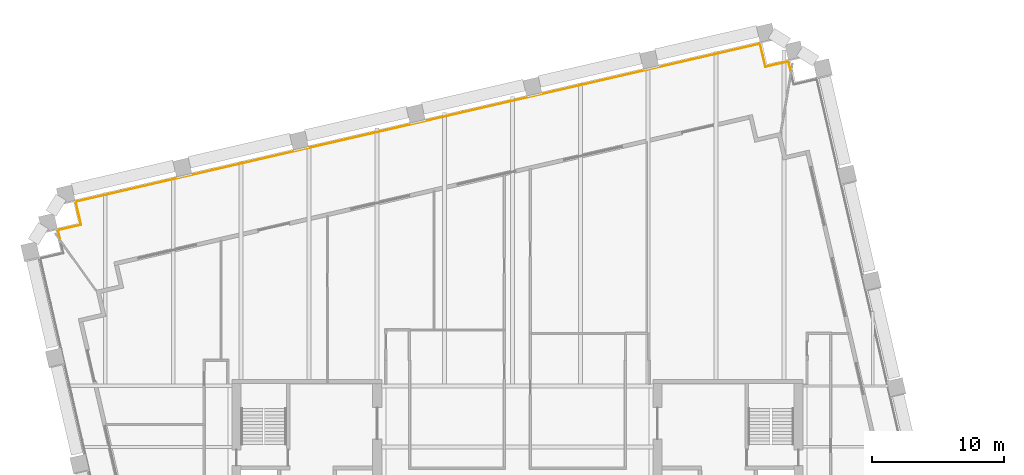
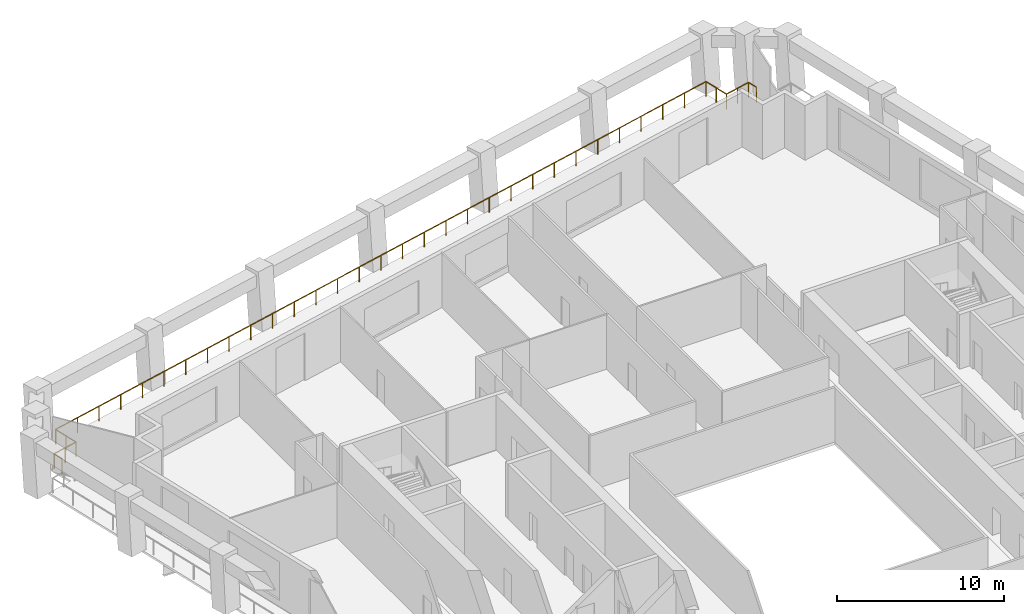
# One storey, part 10 of 10: 1 railing.
"""IFC4 building model written with IfcOpenShell, lengths in metres."""

from ifc_helpers import new_model, si_unit, direction, frame, origin, origin_2d, place, context, subcontext, project, spatial, circle, extrude, material, type_object, element, save


model = new_model("IFC4")

# Units and contexts
model_context = context("Model", 3, precision=1e-05, world=origin(), true_north=direction((0.0, 1.0)))
body_context = subcontext(model_context, "Body", "Model", "MODEL_VIEW")
ifc_project = project(units=[si_unit("LENGTHUNIT", "METRE"), si_unit("AREAUNIT", "SQUARE_METRE"), si_unit("VOLUMEUNIT", "CUBIC_METRE"), si_unit("PLANEANGLEUNIT", "RADIAN"), si_unit("MASSUNIT", "GRAM", prefix="KILO")], contexts=[model_context])

# Site, building, storey
site_placement = place(None, origin())
site = spatial("IfcSite", under=ifc_project, at=site_placement, CompositionType="ELEMENT")
building_placement = place(site_placement, origin())
building = spatial("IfcBuilding", under=site, at=building_placement, Name="Ogive Exchange Tower", CompositionType="ELEMENT")
storey_placement = place(building_placement, frame((0.0, 0.0, 205.199951171875)))
storey = spatial("IfcBuildingStorey", under=building, at=storey_placement, Name="L45", CompositionType="ELEMENT", Elevation=205.199951171875)

# Railing
ifc_material = material(Name="Stainless steel 316", Category="steel")
railing_type = type_object("IfcRailingType", Name="Guard 1100 stainless steel and glass", PredefinedType="GUARDRAIL", material=ifc_material)
railing_placement = place(storey_placement, frame((-34.749755859375, 36.412109375, -0.050048828125)))
element("IfcRailing", 1, at=railing_placement, inside=storey, type_object=railing_type, Name="Loggia guard 3", PredefinedType="GUARDRAIL", context=body_context, shape_type="SweptSolid", body=[
    extrude(circle(Radius=0.02392578125, at=origin_2d()), frame((0.0, 0.0, 1.076171875), z_axis=(-0.224885290304, 0.974385245273, 0.0), x_axis=(-0.974385245273, -0.224885290304, 0.0)), (0.0, 0.0, 1.0), 0.691650390625),
    extrude(circle(Radius=0.02392578125, at=origin_2d()), frame((-0.155517578125, 0.673828125, 1.076171875), z_axis=(0.974386623598, 0.224879318197, 0.0), x_axis=(-0.224879318197, 0.974386623598, 0.0)), (0.0, 0.0, 1.0), 1.800048828125),
    extrude(circle(Radius=0.02392578125, at=origin_2d()), frame((1.598388671875, 1.07861328125, 1.076171875), z_axis=(-0.225008086135, 0.974356896201, 0.0), x_axis=(-0.974356896201, -0.225008086135, 0.0)), (0.0, 0.0, 1.0), 1.800048828125),
    extrude(circle(Radius=0.02392578125, at=origin_2d()), frame((1.193359375, 2.83251953125, 1.076171875), z_axis=(0.97436998541, 0.224951398156, 0.0), x_axis=(-0.224951398156, 0.97436998541, 0.0)), (0.0, 0.0, 1.0), 53.360107421875),
    extrude(circle(Radius=0.02392578125, at=origin_2d()), frame((53.185791015625, 14.8359375, 1.076171875), z_axis=(0.225008086135, -0.974356896201, 0.0), x_axis=(0.974356896201, 0.225008086135, 0.0)), (0.0, 0.0, 1.0), 1.800048828125),
    extrude(circle(Radius=0.02392578125, at=origin_2d()), frame((53.5908203125, 13.08203125, 1.076171875), z_axis=(0.974356896201, 0.225008086135, 0.0), x_axis=(-0.225008086135, 0.974356896201, 0.0)), (0.0, 0.0, 1.0), 1.800048828125),
    extrude(circle(Radius=0.02392578125, at=origin_2d()), frame((55.3447265625, 13.487060546875, 1.076171875), z_axis=(0.224885290304, -0.974385245273, 0.0), x_axis=(0.974385245273, 0.224885290304, 0.0)), (0.0, 0.0, 1.0), 0.691650390625),
    extrude(circle(Radius=0.02099609375, at=origin_2d()), origin(), (0.0, 0.0, 1.0), 1.052001953125),
    extrude(circle(Radius=0.02099609375, at=origin_2d()), frame((-0.155517578125, 0.673828125, 0.0)), (0.0, 0.0, 1.0), 1.052001953125),
    extrude(circle(Radius=0.02099609375, at=origin_2d()), frame((0.721435546875, 0.876220703125, 0.0)), (0.0, 0.0, 1.0), 1.052001953125),
    extrude(circle(Radius=0.02099609375, at=origin_2d()), frame((1.598388671875, 1.07861328125, 0.0)), (0.0, 0.0, 1.0), 1.052001953125),
    extrude(circle(Radius=0.02099609375, at=origin_2d()), frame((1.39599609375, 1.95556640625, 0.0)), (0.0, 0.0, 1.0), 1.052001953125),
    extrude(circle(Radius=0.02099609375, at=origin_2d()), frame((1.193359375, 2.83251953125, 0.0)), (0.0, 0.0, 1.0), 1.052001953125),
    extrude(circle(Radius=0.02099609375, at=origin_2d()), frame((2.926513671875, 3.232666015625, 0.0)), (0.0, 0.0, 1.0), 1.052001953125),
    extrude(circle(Radius=0.02099609375, at=origin_2d()), frame((4.659423828125, 3.6328125, 0.0)), (0.0, 0.0, 1.0), 1.052001953125),
    extrude(circle(Radius=0.02099609375, at=origin_2d()), frame((6.392578125, 4.032958984375, 0.0)), (0.0, 0.0, 1.0), 1.052001953125),
    extrude(circle(Radius=0.02099609375, at=origin_2d()), frame((8.125732421875, 4.432861328125, 0.0)), (0.0, 0.0, 1.0), 1.052001953125),
    extrude(circle(Radius=0.02099609375, at=origin_2d()), frame((9.85888671875, 4.8330078125, 0.0)), (0.0, 0.0, 1.0), 1.052001953125),
    extrude(circle(Radius=0.02099609375, at=origin_2d()), frame((11.591796875, 5.233154296875, 0.0)), (0.0, 0.0, 1.0), 1.052001953125),
    extrude(circle(Radius=0.02099609375, at=origin_2d()), frame((13.324951171875, 5.63330078125, 0.0)), (0.0, 0.0, 1.0), 1.052001953125),
    extrude(circle(Radius=0.02099609375, at=origin_2d()), frame((15.05810546875, 6.033447265625, 0.0)), (0.0, 0.0, 1.0), 1.052001953125),
    extrude(circle(Radius=0.02099609375, at=origin_2d()), frame((16.791015625, 6.43359375, 0.0)), (0.0, 0.0, 1.0), 1.052001953125),
    extrude(circle(Radius=0.02099609375, at=origin_2d()), frame((18.524169921875, 6.833740234375, 0.0)), (0.0, 0.0, 1.0), 1.052001953125),
    extrude(circle(Radius=0.02099609375, at=origin_2d()), frame((20.25732421875, 7.23388671875, 0.0)), (0.0, 0.0, 1.0), 1.052001953125),
    extrude(circle(Radius=0.02099609375, at=origin_2d()), frame((21.990234375, 7.6337890625, 0.0)), (0.0, 0.0, 1.0), 1.052001953125),
    extrude(circle(Radius=0.02099609375, at=origin_2d()), frame((23.723388671875, 8.033935546875, 0.0)), (0.0, 0.0, 1.0), 1.052001953125),
    extrude(circle(Radius=0.02099609375, at=origin_2d()), frame((25.45654296875, 8.43408203125, 0.0)), (0.0, 0.0, 1.0), 1.052001953125),
    extrude(circle(Radius=0.02099609375, at=origin_2d()), frame((27.189453125, 8.834228515625, 0.0)), (0.0, 0.0, 1.0), 1.052001953125),
    extrude(circle(Radius=0.02099609375, at=origin_2d()), frame((28.922607421875, 9.234375, 0.0)), (0.0, 0.0, 1.0), 1.052001953125),
    extrude(circle(Radius=0.02099609375, at=origin_2d()), frame((30.65576171875, 9.634521484375, 0.0)), (0.0, 0.0, 1.0), 1.052001953125),
    extrude(circle(Radius=0.02099609375, at=origin_2d()), frame((32.388916015625, 10.03466796875, 0.0)), (0.0, 0.0, 1.0), 1.052001953125),
    extrude(circle(Radius=0.02099609375, at=origin_2d()), frame((34.121826171875, 10.4345703125, 0.0)), (0.0, 0.0, 1.0), 1.052001953125),
    extrude(circle(Radius=0.02099609375, at=origin_2d()), frame((35.85498046875, 10.834716796875, 0.0)), (0.0, 0.0, 1.0), 1.052001953125),
    extrude(circle(Radius=0.02099609375, at=origin_2d()), frame((37.588134765625, 11.23486328125, 0.0)), (0.0, 0.0, 1.0), 1.052001953125),
    extrude(circle(Radius=0.02099609375, at=origin_2d()), frame((39.321044921875, 11.635009765625, 0.0)), (0.0, 0.0, 1.0), 1.052001953125),
    extrude(circle(Radius=0.02099609375, at=origin_2d()), frame((41.05419921875, 12.03515625, 0.0)), (0.0, 0.0, 1.0), 1.052001953125),
    extrude(circle(Radius=0.02099609375, at=origin_2d()), frame((42.787353515625, 12.435302734375, 0.0)), (0.0, 0.0, 1.0), 1.052001953125),
    extrude(circle(Radius=0.02099609375, at=origin_2d()), frame((44.5205078125, 12.83544921875, 0.0)), (0.0, 0.0, 1.0), 1.052001953125),
    extrude(circle(Radius=0.02099609375, at=origin_2d()), frame((46.25341796875, 13.235595703125, 0.0)), (0.0, 0.0, 1.0), 1.052001953125),
    extrude(circle(Radius=0.02099609375, at=origin_2d()), frame((47.986572265625, 13.635498046875, 0.0)), (0.0, 0.0, 1.0), 1.052001953125),
    extrude(circle(Radius=0.02099609375, at=origin_2d()), frame((49.7197265625, 14.03564453125, 0.0)), (0.0, 0.0, 1.0), 1.052001953125),
    extrude(circle(Radius=0.02099609375, at=origin_2d()), frame((51.45263671875, 14.435791015625, 0.0)), (0.0, 0.0, 1.0), 1.052001953125),
    extrude(circle(Radius=0.02099609375, at=origin_2d()), frame((53.185791015625, 14.8359375, 0.0)), (0.0, 0.0, 1.0), 1.052001953125),
    extrude(circle(Radius=0.02099609375, at=origin_2d()), frame((53.38818359375, 13.958984375, 0.0)), (0.0, 0.0, 1.0), 1.052001953125),
    extrude(circle(Radius=0.02099609375, at=origin_2d()), frame((53.5908203125, 13.08203125, 0.0)), (0.0, 0.0, 1.0), 1.052001953125),
    extrude(circle(Radius=0.02099609375, at=origin_2d()), frame((54.4677734375, 13.28466796875, 0.0)), (0.0, 0.0, 1.0), 1.052001953125),
    extrude(circle(Radius=0.02099609375, at=origin_2d()), frame((55.3447265625, 13.487060546875, 0.0)), (0.0, 0.0, 1.0), 1.052001953125),
    extrude(circle(Radius=0.02099609375, at=origin_2d()), frame((55.500244140625, 12.813232421875, 0.0)), (0.0, 0.0, 1.0), 1.052001953125),
])

save(model, "model.ifc")
